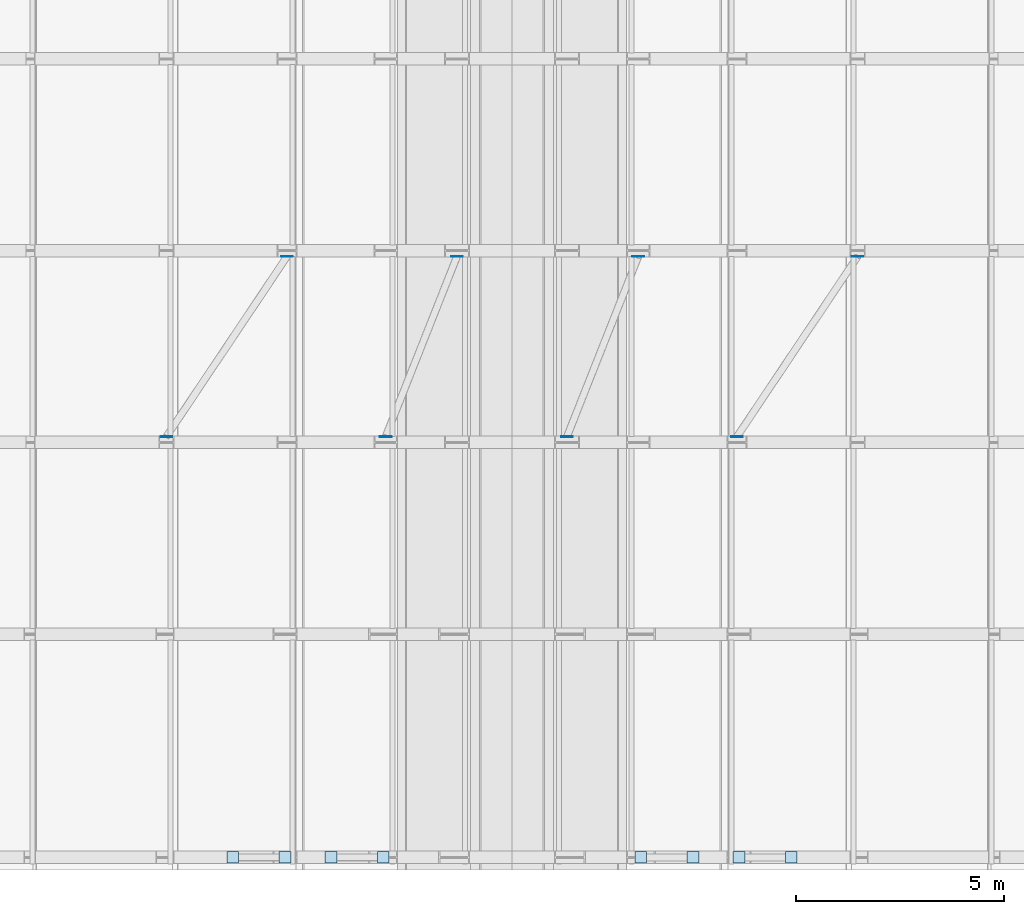
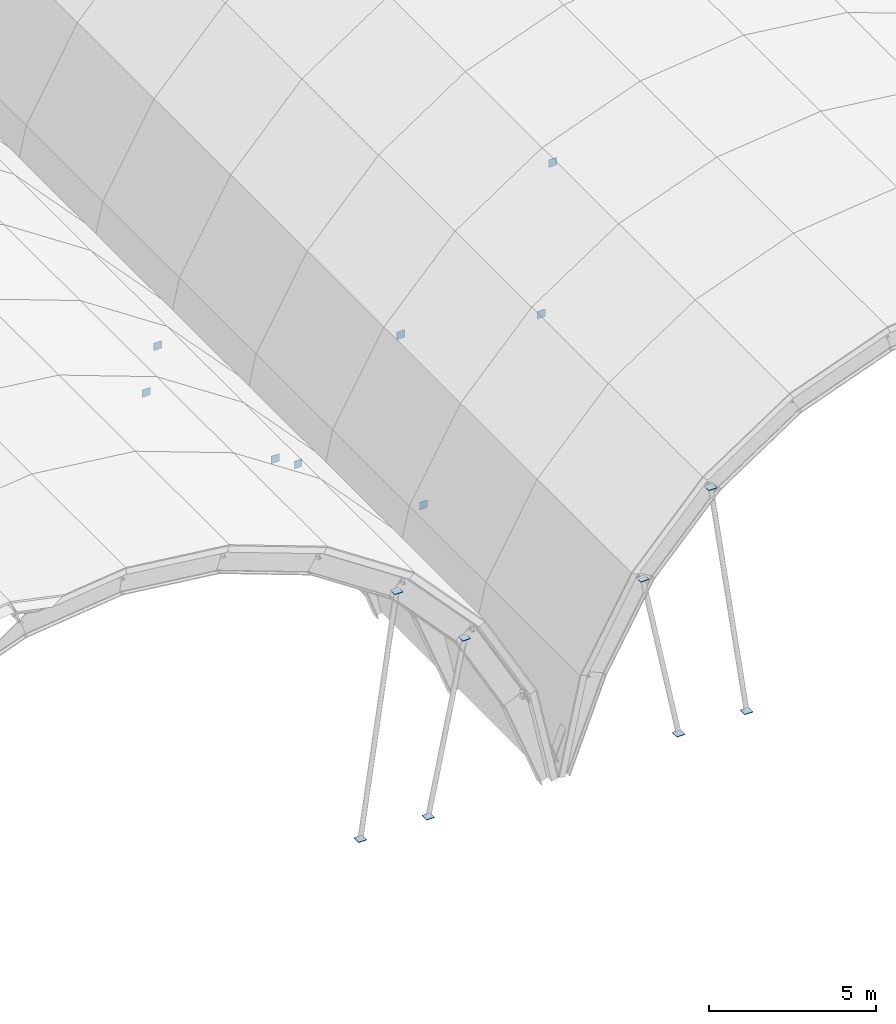
# One storey, part 27 of 47: 16 plates.
"""IFC4 building model written with IfcOpenShell, lengths in metres."""

from ifc_helpers import new_model, si_unit, direction, frame, origin, origin_2d, place, context, subcontext, project, spatial, rectangle, extrude, material, layer, layer_set, type_object, element, save


model = new_model("IFC4")

# Units and contexts
model_context = context("Model", 3, precision=1e-05, world=origin(), true_north=direction((0.0, 1.0)))
body_context = subcontext(model_context, "Body", "Model", "MODEL_VIEW")
ifc_project = project(units=[si_unit("LENGTHUNIT", "METRE"), si_unit("AREAUNIT", "SQUARE_METRE"), si_unit("VOLUMEUNIT", "CUBIC_METRE"), si_unit("PLANEANGLEUNIT", "RADIAN"), si_unit("MASSUNIT", "GRAM", prefix="KILO")], contexts=[model_context])

# Site, building, storey
site_placement = place(None, origin())
site = spatial("IfcSite", under=ifc_project, at=site_placement, CompositionType="ELEMENT")
building_placement = place(site_placement, origin())
building = spatial("IfcBuilding", under=site, at=building_placement, Name="Muzn Square Opera House", CompositionType="ELEMENT")
storey_placement = place(building_placement, frame((0.0, 0.0, 31.0)))
storey = spatial("IfcBuildingStorey", under=building, at=storey_placement, Name="RF-1", CompositionType="ELEMENT", Elevation=31.0)

# Plates
ifc_material = material(Name="Steel S355", Category="steel")
ifc_layer = layer(ifc_material, 0.01806640625, Name="Steel S355", Category="steel")
ifc_layer_set = layer_set([ifc_layer], Name="Steel S355")
plate_type = type_object("IfcPlateType", Name="Brace Cap Plate 18mm 280x280", PredefinedType="USERDEFINED", material=ifc_layer_set)
for number, where, z_axis, x_axis, name in (
    (1, (66.305908203125, 21.25, -12.589111328125), (0.0, 0.0, 1.0), (1.0, 0.0, 0.0), "Exposed Gable Truss Gusset V1-W03-A"),
    (2, (67.555908203125, 21.25, -3.939697265625), (0.0, 0.0, 1.0), (1.0, 0.0, 0.0), "Exposed Gable Truss Gusset V1-W03-B"),
    (3, (68.66015625, 21.25, -12.589111328125), (0.0, 0.0, 1.0), (1.0, 0.0, 0.0), "Exposed Gable Truss Gusset V1-W04-A"),
    (4, (69.91015625, 21.25, -6.470703125), (0.0, 0.0, 1.0), (1.0, 0.0, 0.0), "Exposed Gable Truss Gusset V1-W04-B"),
):
    element("IfcPlate", number, at=place(storey_placement, frame(where, z_axis=z_axis, x_axis=x_axis)), inside=storey, type_object=plate_type, Name=name, ObjectType="GUSSET PLATE", PredefinedType="USERDEFINED", context=body_context, shape_type="SweptSolid", body=[
        extrude(rectangle(XDim=0.280029296875, YDim=0.280029296875, at=origin_2d()), origin(), (0.0, 0.0, 1.0), 0.01806640625),
    ])
for number, where, z_axis, x_axis, name in (
    (5, (64.71142578125, 31.340087890625, -1.90966796875), (0.0, 0.0, 1.0), (1.0, 0.0, 0.0), "Vault Wind Brace End Cap Plate V1-02-14-A"),
    (6, (67.6044921875, 35.659912109375, -3.83349609375), (0.0, 0.0, 1.0), (1.0, 0.0, 0.0), "Vault Wind Brace End Cap Plate V1-02-14-B"),
    (7, (69.970703125, 31.340087890625, -6.37744140625), (0.0, 0.0, 1.0), (1.0, 0.0, 0.0), "Vault Wind Brace End Cap Plate V1-02-18-A"),
    (8, (71.680419921875, 35.659912109375, -9.40185546875), (0.0, 0.0, 1.0), (1.0, 0.0, 0.0), "Vault Wind Brace End Cap Plate V1-02-18-B"),
):
    element("IfcPlate", number, at=place(storey_placement, frame(where, z_axis=z_axis, x_axis=x_axis)), inside=storey, type_object=plate_type, Name=name, ObjectType="GUSSET PLATE", PredefinedType="USERDEFINED", context=body_context, shape_type="SweptSolid", body=[
        extrude(rectangle(XDim=0.280029296875, YDim=0.01806640625, at=origin_2d()), origin(), (0.0, 0.0, 1.0), 0.280029296875),
    ])
for number, where, z_axis, x_axis, name in (
    (9, (77.33984375, 21.25, -12.589111328125), (0.0, 0.0, 1.0), (1.0, 0.0, 0.0), "Exposed Gable Truss Gusset V2-W01-A"),
    (10, (76.08984375, 21.25, -6.470703125), (0.0, 0.0, 1.0), (1.0, 0.0, 0.0), "Exposed Gable Truss Gusset V2-W01-B"),
    (11, (79.694091796875, 21.25, -12.589111328125), (0.0, 0.0, 1.0), (1.0, 0.0, 0.0), "Exposed Gable Truss Gusset V2-W02-A"),
    (12, (78.444091796875, 21.25, -3.939697265625), (0.0, 0.0, 1.0), (1.0, 0.0, 0.0), "Exposed Gable Truss Gusset V2-W02-B"),
):
    element("IfcPlate", number, at=place(storey_placement, frame(where, z_axis=z_axis, x_axis=x_axis)), inside=storey, type_object=plate_type, Name=name, ObjectType="GUSSET PLATE", PredefinedType="USERDEFINED", context=body_context, shape_type="SweptSolid", body=[
        extrude(rectangle(XDim=0.280029296875, YDim=0.280029296875, at=origin_2d()), origin(), (0.0, 0.0, 1.0), 0.01806640625),
    ])
for number, where, z_axis, x_axis, name in (
    (13, (74.319580078125, 31.340087890625, -9.40185546875), (0.0, 0.0, 1.0), (1.0, 0.0, 0.0), "Vault Wind Brace End Cap Plate V2-02-04-A"),
    (14, (76.029296875, 35.659912109375, -6.37744140625), (0.0, 0.0, 1.0), (1.0, 0.0, 0.0), "Vault Wind Brace End Cap Plate V2-02-04-B"),
    (15, (78.3955078125, 31.340087890625, -3.83349609375), (0.0, 0.0, 1.0), (1.0, 0.0, 0.0), "Vault Wind Brace End Cap Plate V2-02-08-A"),
    (16, (81.28857421875, 35.659912109375, -1.90966796875), (0.0, 0.0, 1.0), (1.0, 0.0, 0.0), "Vault Wind Brace End Cap Plate V2-02-08-B"),
):
    element("IfcPlate", number, at=place(storey_placement, frame(where, z_axis=z_axis, x_axis=x_axis)), inside=storey, type_object=plate_type, Name=name, ObjectType="GUSSET PLATE", PredefinedType="USERDEFINED", context=body_context, shape_type="SweptSolid", body=[
        extrude(rectangle(XDim=0.280029296875, YDim=0.01806640625, at=origin_2d()), origin(), (0.0, 0.0, 1.0), 0.280029296875),
    ])

save(model, "model.ifc")
